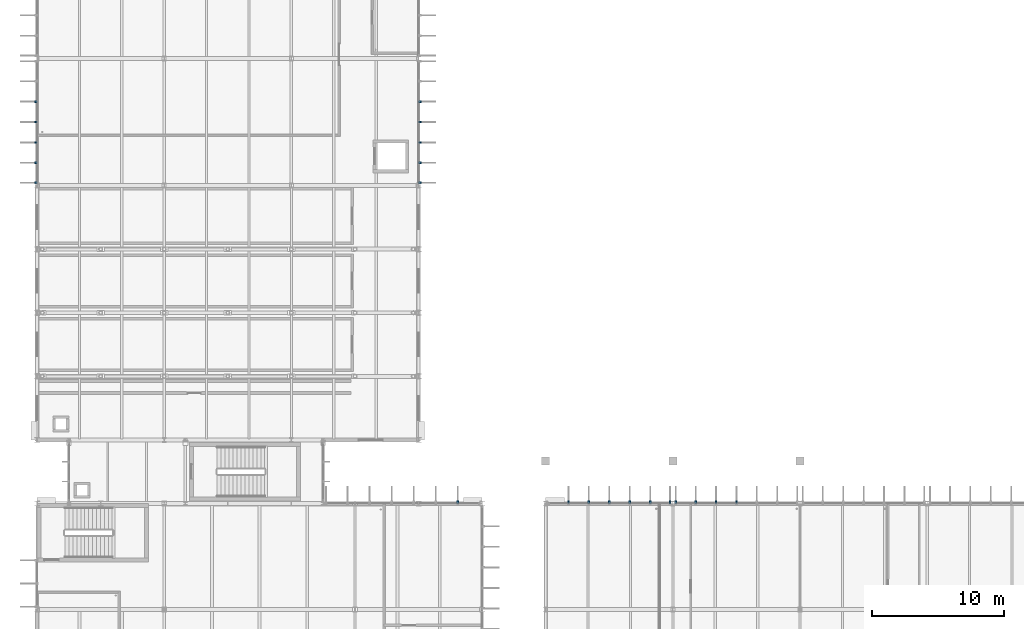
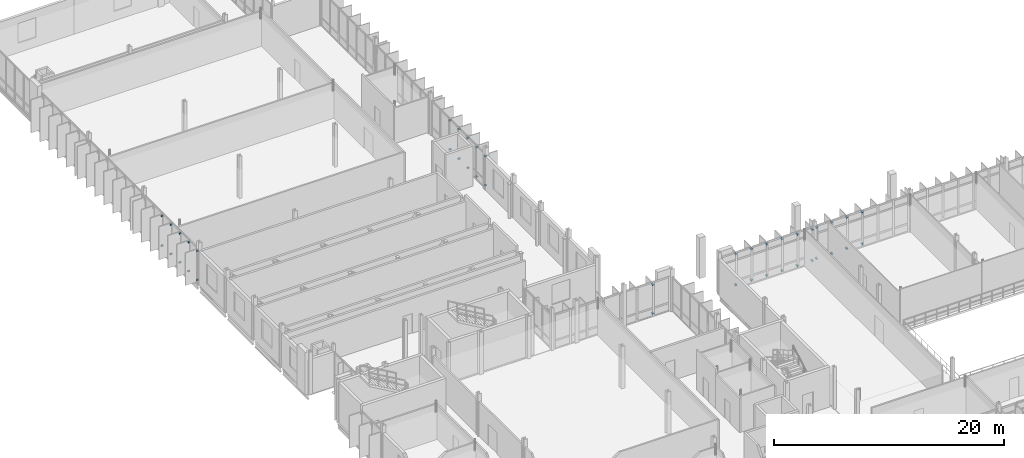
# One storey, part 95 of 110: 42 discrete accessories.
"""IFC4 building model written with IfcOpenShell, lengths in metres."""

import ifcopenshell
import ifcopenshell.guid

model = None  # the IFC model being written
_history = None  # IfcOwnerHistory: only IFC2X3 demands one
_inside = {}  # id of a spatial element -> (the spatial element, [elements in it])
_under = {}  # id of a project, library or spatial element -> (it, [spatial elements below it])
_declared = {}  # id of a project -> (the project, [libraries it declares])
_typed = {}  # id of a type object -> (the type object, [elements of that type])
_made_of = {}  # id of a material, layer set ... -> (it, [elements and type objects made of it])


def new_model(schema):
    """Start an empty IFC model of exactly this schema.

    Asked for "IFC4X3", IfcOpenShell would pick the latest addendum, in which some entities
    have other attributes; the version numbers below select the first issue.
    IFC2X3 requires an IfcOwnerHistory on every rooted entity: one is made here for all.
    """
    global model, _history
    if schema == "IFC4X3":
        model = ifcopenshell.file(schema_version=(4, 3, 0, 0))
    else:
        model = ifcopenshell.file(schema=schema)
    _inside.clear()
    _under.clear()
    _declared.clear()
    _typed.clear()
    _made_of.clear()
    _history = None
    if model.schema == "IFC2X3":
        org = make("IfcOrganization", Name="unknown")
        user = make(
            "IfcPersonAndOrganization",
            ThePerson=make("IfcPerson", FamilyName="unknown"),
            TheOrganization=org,
        )
        app = make(
            "IfcApplication",
            ApplicationDeveloper=org,
            Version="unknown",
            ApplicationFullName="unknown",
            ApplicationIdentifier="unknown",
        )
        _history = make(
            "IfcOwnerHistory",
            OwningUser=user,
            OwningApplication=app,
            ChangeAction="ADDED",
            CreationDate=0,
        )
    return model


def make(cls, **values):
    """One entity of the class cls with the attributes given. An attribute that is None is left unset."""
    return model.create_entity(
        cls, **{name: value for name, value in values.items() if value is not None}
    )


def rooted(cls, **values):
    """An entity with a GlobalId (a new one), such as an element, a storey or a relation."""
    return make(cls, GlobalId=ifcopenshell.guid.new(), OwnerHistory=_history, **values)


def si_unit(unit_type, name, prefix=None):
    """IfcSIUnit, for example si_unit("LENGTHUNIT", "METRE", prefix="MILLI")."""
    return make("IfcSIUnit", UnitType=unit_type, Prefix=prefix, Name=name)


def assignment(units):
    """IfcUnitAssignment: the units of a project."""
    return None if units is None else make("IfcUnitAssignment", Units=units)


def point(xyz):
    """IfcCartesianPoint."""
    return None if xyz is None else make("IfcCartesianPoint", Coordinates=xyz)


def direction(xyz):
    """IfcDirection."""
    return None if xyz is None else make("IfcDirection", DirectionRatios=xyz)


def frame(location, z_axis=None, x_axis=None):
    """IfcAxis2Placement3D, a coordinate frame: its origin and axes. An axis left out is left unset."""
    return make(
        "IfcAxis2Placement3D",
        Location=point(location),
        Axis=direction(z_axis),
        RefDirection=direction(x_axis),
    )


def frame_2d(location, x_axis=None):
    """IfcAxis2Placement2D, a coordinate frame in the plane: its origin and x axis."""
    return make(
        "IfcAxis2Placement2D", Location=point(location), RefDirection=direction(x_axis)
    )


def origin():
    """The frame at (0, 0, 0) with its axes left unset."""
    return frame((0.0, 0.0, 0.0))


def origin_2d():
    """The frame at (0, 0) in the plane with its x axis left unset."""
    return frame_2d((0.0, 0.0))


def place(relative_to, where):
    """IfcLocalPlacement: puts the frame where relative to a parent placement (None: the world)."""
    return make(
        "IfcLocalPlacement", PlacementRelTo=relative_to, RelativePlacement=where
    )


def context(
    kind, dimensions, precision=None, world=None, true_north=None, identifier=None
):
    """IfcGeometricRepresentationContext, for example the 3D "Model" context."""
    return make(
        "IfcGeometricRepresentationContext",
        ContextIdentifier=identifier,
        ContextType=kind,
        CoordinateSpaceDimension=dimensions,
        Precision=precision,
        WorldCoordinateSystem=world,
        TrueNorth=true_north,
    )


def subcontext(parent, identifier, kind, view, scale=None):
    """IfcGeometricRepresentationSubContext, for example "Body" below "Model"."""
    return make(
        "IfcGeometricRepresentationSubContext",
        ContextIdentifier=identifier,
        ContextType=kind,
        ParentContext=parent,
        TargetScale=scale,
        TargetView=view,
    )


def project(units=None, contexts=None):
    """IfcProject with its units and contexts."""
    return rooted(
        "IfcProject",
        Name="project",
        RepresentationContexts=contexts,
        UnitsInContext=assignment(units),
    )


def spatial(cls, under=None, at=None, **own):
    """A site, building, storey or space (cls), placed at a placement, below another one or the project."""
    s = rooted(cls, ObjectPlacement=at, **own)
    if under is not None:
        _under.setdefault(under.id(), (under, []))[1].append(s)
    return s


def profile(cls, at=None, kind="AREA", **sizes):
    """A parametric profile (cls). Its sizes go by their IFC names, for example OverallWidth=200.0."""
    return make(cls, ProfileType=kind, Position=at, **sizes)


def rectangle(**sizes):
    """IfcRectangleProfileDef."""
    return profile("IfcRectangleProfileDef", **sizes)


def extrude(swept, where, along, depth):
    """IfcExtrudedAreaSolid: the profile swept, set in the frame where, extruded along a direction by depth."""
    return make(
        "IfcExtrudedAreaSolid",
        SweptArea=swept,
        Position=where,
        ExtrudedDirection=direction(along),
        Depth=depth,
    )


def shape(context_of_items, identifier, shape_type, items):
    """IfcShapeRepresentation: the items that make up one representation, for example the "Body"."""
    return make(
        "IfcShapeRepresentation",
        ContextOfItems=context_of_items,
        RepresentationIdentifier=identifier,
        RepresentationType=shape_type,
        Items=items,
    )


def material(Name=None, Category=None):
    """IfcMaterial."""
    return make("IfcMaterial", Name=Name, Category=Category)


def made_of(thing, what):
    """Note that an element or type object is made of a material, layer set ...; save() writes the relation."""
    if what is not None:
        _made_of.setdefault(what.id(), (what, []))[1].append(thing)
    return thing


def type_object(cls, material=None, **own):
    """A type object (cls), such as IfcWallType, which elements share."""
    return made_of(rooted(cls, **own), material)


def element(
    cls,
    number,
    at=None,
    inside=None,
    cuts=None,
    type_object=None,
    material=None,
    context=None,
    identifier="Body",
    shape_type=None,
    held_by="IfcProductDefinitionShape",
    body=None,
    shapes=None,
    **own,
):
    """One element of the class cls, such as IfcWall. Its Tag is "e" and its number.

    at: its placement. inside: the storey or other place that contains it. cuts: it is an
    opening in that element (IfcRelVoidsElement). A single representation is given by context,
    identifier, shape_type and body (its items); several are given by shapes. held_by: the class
    of the entity that holds the representations. save() writes the other relations.
    """
    e = rooted(cls, Tag="e%d" % number, ObjectPlacement=at, **own)
    if body is not None:
        shapes = [shape(context, identifier, shape_type, body)]
    if shapes is not None:
        e.Representation = make(held_by, Representations=shapes)
    if inside is not None:
        _inside.setdefault(inside.id(), (inside, []))[1].append(e)
    if cuts is not None:
        rooted(
            "IfcRelVoidsElement", RelatingBuildingElement=cuts, RelatedOpeningElement=e
        )
    if type_object is not None:
        _typed.setdefault(type_object.id(), (type_object, []))[1].append(e)
    return made_of(e, material)


def aggregate(whole, parts):
    """IfcRelAggregates: a whole, such as a stair, and the parts it consists of."""
    return rooted("IfcRelAggregates", RelatingObject=whole, RelatedObjects=parts)


def save(model, path):
    """Write the relations noted so far, then the file.

    IfcRelAggregates (storeys below a building ...), IfcRelContainedInSpatialStructure (elements
    in a storey), IfcRelDefinesByType, IfcRelAssociatesMaterial and IfcRelDeclares: one each for
    every whole, place, type object, material and project.
    """
    for whole, parts in _under.values():
        aggregate(whole, parts)
    for where, things in _inside.values():
        rooted(
            "IfcRelContainedInSpatialStructure",
            RelatedElements=things,
            RelatingStructure=where,
        )
    for kind, things in _typed.values():
        rooted("IfcRelDefinesByType", RelatedObjects=things, RelatingType=kind)
    for what, things in _made_of.values():
        rooted("IfcRelAssociatesMaterial", RelatedObjects=things, RelatingMaterial=what)
    for by, libraries in _declared.values():
        rooted("IfcRelDeclares", RelatingContext=by, RelatedDefinitions=libraries)
    model.write(path)


model = new_model("IFC4")

# Units and contexts
model_context = context("Model", 3, precision=1e-05, world=origin(), true_north=direction((0.0, 1.0)))
body_context = subcontext(model_context, "Body", "Model", "MODEL_VIEW")
ifc_project = project(units=[si_unit("LENGTHUNIT", "METRE"), si_unit("AREAUNIT", "SQUARE_METRE"), si_unit("VOLUMEUNIT", "CUBIC_METRE"), si_unit("PLANEANGLEUNIT", "RADIAN"), si_unit("MASSUNIT", "GRAM", prefix="KILO")], contexts=[model_context])

# Site, building, storey
site_placement = place(None, origin())
site = spatial("IfcSite", under=ifc_project, at=site_placement, CompositionType="ELEMENT")
building_placement = place(site_placement, origin())
building = spatial("IfcBuilding", under=site, at=building_placement, Name="Dunescarp Central Library", CompositionType="ELEMENT")
storey_placement = place(building_placement, frame((0.0, 0.0, 9.60009765625)))
storey = spatial("IfcBuildingStorey", under=building, at=storey_placement, Name="L02", CompositionType="ELEMENT", Elevation=9.60009765625)

# Discrete accessories
ifc_material = material(Name="Stainless steel Grade 316L", Category="steel")
discrete_accessory_type = type_object("IfcDiscreteAccessoryType", Name="ARC-ACC-BRK", PredefinedType="BRACKET", material=ifc_material)
for number, where, z_axis, x_axis, name in (
    (1, (31.760986328125, 36.8798828125, 0.18994140625), (0.0, 0.0, 1.0), (0.0, 1.0, 0.0), "Fin bracket BRK-FIN-L02-0099-B"),
    (2, (31.760986328125, 36.8798828125, 3.2607421875), (0.0, 0.0, 1.0), (0.0, 1.0, 0.0), "Fin bracket BRK-FIN-L02-0099-T"),
    (3, (40.116943359375, 36.8798828125, 0.2900390625), (0.0, 0.0, 1.0), (0.0, 1.0, 0.0), "Fin bracket BRK-FIN-L02-0398-B"),
    (4, (40.116943359375, 36.8798828125, 3.5947265625), (0.0, 0.0, 1.0), (0.0, 1.0, 0.0), "Fin bracket BRK-FIN-L02-0398-T"),
    (5, (41.657958984375, 36.8798828125, 0.27392578125), (0.0, 0.0, 1.0), (0.0, 1.0, 0.0), "Fin bracket BRK-FIN-L02-0399-B"),
    (6, (41.657958984375, 36.8798828125, 3.5947265625), (0.0, 0.0, 1.0), (0.0, 1.0, 0.0), "Fin bracket BRK-FIN-L02-0399-T"),
    (7, (43.199951171875, 36.8798828125, 0.23291015625), (0.0, 0.0, 1.0), (0.0, 1.0, 0.0), "Fin bracket BRK-FIN-L02-0400-B"),
    (8, (43.199951171875, 36.8798828125, 3.5947265625), (0.0, 0.0, 1.0), (0.0, 1.0, 0.0), "Fin bracket BRK-FIN-L02-0400-T"),
    (9, (44.741943359375, 36.8798828125, 0.18994140625), (0.0, 0.0, 1.0), (0.0, 1.0, 0.0), "Fin bracket BRK-FIN-L02-0401-B"),
    (10, (44.741943359375, 36.8798828125, 3.583984375), (0.0, 0.0, 1.0), (0.0, 1.0, 0.0), "Fin bracket BRK-FIN-L02-0401-T"),
    (11, (46.282958984375, 36.8798828125, 0.18994140625), (0.0, 0.0, 1.0), (0.0, 1.0, 0.0), "Fin bracket BRK-FIN-L02-0402-B"),
    (12, (46.282958984375, 36.8798828125, 3.5341796875), (0.0, 0.0, 1.0), (0.0, 1.0, 0.0), "Fin bracket BRK-FIN-L02-0402-T"),
    (13, (47.784912109375, 36.8798828125, 0.18994140625), (0.0, 0.0, 1.0), (0.0, 1.0, 0.0), "Fin bracket BRK-FIN-L02-0403-B"),
    (14, (47.784912109375, 36.8798828125, 3.5009765625), (0.0, 0.0, 1.0), (0.0, 1.0, 0.0), "Fin bracket BRK-FIN-L02-0403-T"),
    (15, (48.215087890625, 36.8798828125, 0.27685546875), (0.0, 0.0, 1.0), (0.0, 1.0, 0.0), "Fin bracket BRK-FIN-L02-0404-B"),
    (16, (48.215087890625, 36.8798828125, 3.5947265625), (0.0, 0.0, 1.0), (0.0, 1.0, 0.0), "Fin bracket BRK-FIN-L02-0404-T"),
    (17, (49.717041015625, 36.8798828125, 0.2900390625), (0.0, 0.0, 1.0), (0.0, 1.0, 0.0), "Fin bracket BRK-FIN-L02-0405-B"),
    (18, (49.717041015625, 36.8798828125, 3.5947265625), (0.0, 0.0, 1.0), (0.0, 1.0, 0.0), "Fin bracket BRK-FIN-L02-0405-T"),
    (19, (51.258056640625, 36.8798828125, 0.27392578125), (0.0, 0.0, 1.0), (0.0, 1.0, 0.0), "Fin bracket BRK-FIN-L02-0406-B"),
    (20, (51.258056640625, 36.8798828125, 3.5947265625), (0.0, 0.0, 1.0), (0.0, 1.0, 0.0), "Fin bracket BRK-FIN-L02-0406-T"),
    (21, (52.800048828125, 36.8798828125, 0.23291015625), (0.0, 0.0, 1.0), (0.0, 1.0, 0.0), "Fin bracket BRK-FIN-L02-0407-B"),
    (22, (52.800048828125, 36.8798828125, 3.5947265625), (0.0, 0.0, 1.0), (0.0, 1.0, 0.0), "Fin bracket BRK-FIN-L02-0407-T"),
    (23, (-0.080078125, 61.014892578125, 0.27685546875), (0.0, 0.0, 1.0), (-1.0, 0.0, 0.0), "Fin bracket BRK-FIN-L02-0823-B"),
    (24, (-0.080078125, 61.014892578125, 3.3720703125), (0.0, 0.0, 1.0), (-1.0, 0.0, 0.0), "Fin bracket BRK-FIN-L02-0823-T"),
    (25, (-0.080078125, 62.51708984375, 0.2900390625), (0.0, 0.0, 1.0), (-1.0, 0.0, 0.0), "Fin bracket BRK-FIN-L02-0824-B"),
    (26, (-0.080078125, 62.51708984375, 3.3720703125), (0.0, 0.0, 1.0), (-1.0, 0.0, 0.0), "Fin bracket BRK-FIN-L02-0824-T"),
    (27, (-0.080078125, 64.05810546875, 0.27392578125), (0.0, 0.0, 1.0), (-1.0, 0.0, 0.0), "Fin bracket BRK-FIN-L02-0825-B"),
    (28, (-0.080078125, 64.05810546875, 3.3720703125), (0.0, 0.0, 1.0), (-1.0, 0.0, 0.0), "Fin bracket BRK-FIN-L02-0825-T"),
    (29, (-0.080078125, 65.60009765625, 0.23291015625), (0.0, 0.0, 1.0), (-1.0, 0.0, 0.0), "Fin bracket BRK-FIN-L02-0826-B"),
    (30, (-0.080078125, 65.60009765625, 3.3720703125), (0.0, 0.0, 1.0), (-1.0, 0.0, 0.0), "Fin bracket BRK-FIN-L02-0826-T"),
    (31, (-0.080078125, 67.14208984375, 0.18994140625), (0.0, 0.0, 1.0), (-1.0, 0.0, 0.0), "Fin bracket BRK-FIN-L02-0827-B"),
    (32, (-0.080078125, 67.14208984375, 3.36083984375), (0.0, 0.0, 1.0), (-1.0, 0.0, 0.0), "Fin bracket BRK-FIN-L02-0827-T"),
    (33, (28.8798828125, 67.14208984375, 0.27392578125), (0.0, 0.0, 1.0), (1.0, 0.0, 0.0), "Fin bracket BRK-FIN-L02-0832-B"),
    (34, (28.8798828125, 67.14208984375, 3.3720703125), (0.0, 0.0, 1.0), (1.0, 0.0, 0.0), "Fin bracket BRK-FIN-L02-0832-T"),
    (35, (28.8798828125, 65.60009765625, 0.23291015625), (0.0, 0.0, 1.0), (1.0, 0.0, 0.0), "Fin bracket BRK-FIN-L02-0833-B"),
    (36, (28.8798828125, 65.60009765625, 3.3720703125), (0.0, 0.0, 1.0), (1.0, 0.0, 0.0), "Fin bracket BRK-FIN-L02-0833-T"),
    (37, (28.8798828125, 64.05810546875, 0.18994140625), (0.0, 0.0, 1.0), (1.0, 0.0, 0.0), "Fin bracket BRK-FIN-L02-0834-B"),
    (38, (28.8798828125, 64.05810546875, 3.36083984375), (0.0, 0.0, 1.0), (1.0, 0.0, 0.0), "Fin bracket BRK-FIN-L02-0834-T"),
    (39, (28.8798828125, 62.51708984375, 0.18994140625), (0.0, 0.0, 1.0), (1.0, 0.0, 0.0), "Fin bracket BRK-FIN-L02-0835-B"),
    (40, (28.8798828125, 62.51708984375, 3.31103515625), (0.0, 0.0, 1.0), (1.0, 0.0, 0.0), "Fin bracket BRK-FIN-L02-0835-T"),
    (41, (28.8798828125, 61.014892578125, 0.18994140625), (0.0, 0.0, 1.0), (1.0, 0.0, 0.0), "Fin bracket BRK-FIN-L02-0836-B"),
    (42, (28.8798828125, 61.014892578125, 3.27783203125), (0.0, 0.0, 1.0), (1.0, 0.0, 0.0), "Fin bracket BRK-FIN-L02-0836-T"),
):
    element("IfcDiscreteAccessory", number, at=place(storey_placement, frame(where, z_axis=z_axis, x_axis=x_axis)), inside=storey, type_object=discrete_accessory_type, Name=name, PredefinedType="BRACKET", context=body_context, shape_type="SweptSolid", body=[
        extrude(rectangle(XDim=0.219970703125, YDim=0.139892578125, at=origin_2d()), origin(), (0.0, 0.0, 1.0), 0.139892578125),
    ])

save(model, "model.ifc")
